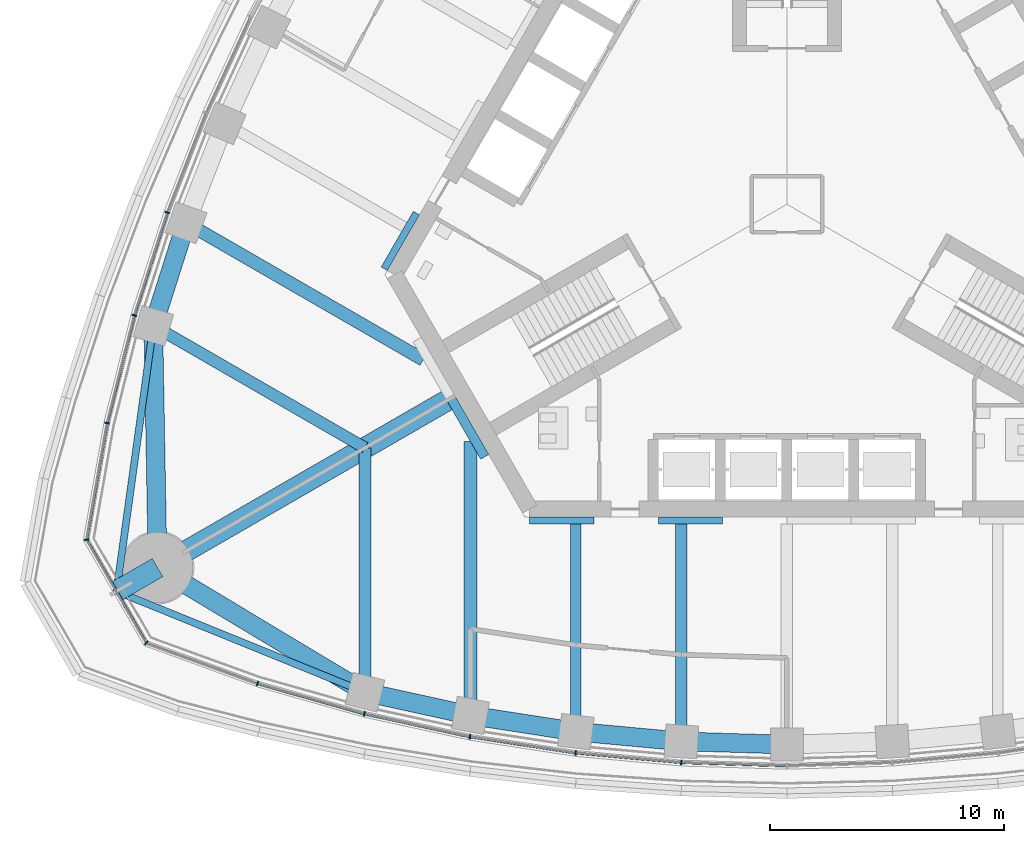
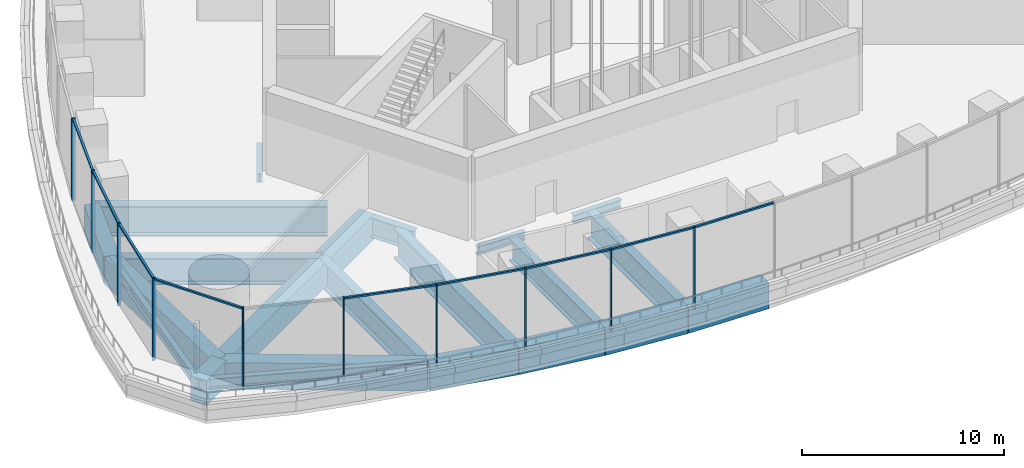
# One storey, part 2 of 26: 21 beams, 19 members, 3 elements without a shape of their own.
"""IFC4 building model written with IfcOpenShell, lengths in metres."""

from ifc_helpers import new_model, si_unit, direction, frame, origin, origin_2d, place, context, subcontext, project, spatial, rectangle, i_section, extrude, material, material_profile, profile_set, type_object, element, aggregate, save


model = new_model("IFC4")

# Units and contexts
model_context = context("Model", 3, precision=1e-05, world=origin(), true_north=direction((0.0, 1.0)))
body_context = subcontext(model_context, "Body", "Model", "MODEL_VIEW")
ifc_project = project(units=[si_unit("LENGTHUNIT", "METRE"), si_unit("AREAUNIT", "SQUARE_METRE"), si_unit("VOLUMEUNIT", "CUBIC_METRE"), si_unit("PLANEANGLEUNIT", "RADIAN"), si_unit("MASSUNIT", "GRAM", prefix="KILO")], contexts=[model_context])

# Site, building, storey
site_placement = place(None, origin())
site = spatial("IfcSite", under=ifc_project, at=site_placement, CompositionType="ELEMENT")
building_placement = place(site_placement, origin())
building = spatial("IfcBuilding", under=site, at=building_placement, Name="Trefoil Bronze Tower", CompositionType="ELEMENT")
storey_placement = place(building_placement, frame((0.0, 0.0, 271.300048828125)))
storey = spatial("IfcBuildingStorey", under=building, at=storey_placement, Name="L62", CompositionType="ELEMENT", Elevation=271.300048828125)

# Curtain wall, members
ifc_material_1 = material(Name="Tinted solar-control glass", Category="glass")
curtain_wall_type_1 = type_object("IfcCurtainWallType", Name="Bronze rounded corner curtain wall", PredefinedType="USERDEFINED", material=ifc_material_1)
curtain_wall_1_placement = place(storey_placement, origin())
curtain_wall_1 = element("IfcCurtainWall", 1, at=curtain_wall_1_placement, inside=storey, type_object=curtain_wall_type_1, Name="CW-B L62 K3", ObjectType="CURTAIN WALL", PredefinedType="USERDEFINED")
ifc_material_2 = material(Name="Bronze-finish aluminium", Category="aluminium")
ifc_material_profile_1 = material_profile(ifc_material_2, rectangle(XDim=0.199951171875, YDim=0.06005859375, at=origin_2d()), Name="CW-B mullion")
ifc_profile_set_1 = profile_set([ifc_material_profile_1], Name="Bronze-finish aluminium")
member_type_1 = type_object("IfcMemberType", Name="Bronze rounded corner curtain wall mullion", PredefinedType="MULLION", material=ifc_profile_set_1)
member_1_placement = place(storey_placement, frame((-28.99755859375, -9.334228515625, 0.0), z_axis=(0.0, 0.0, 1.0), x_axis=(0.984807753012, -0.173648177667, 0.0)))
member_1 = element("IfcMember", 2, at=member_1_placement, type_object=member_type_1, Name="CW-B L62 K3 mullion 1", PredefinedType="MULLION", context=body_context, shape_type="SweptSolid", body=[
    extrude(rectangle(XDim=0.199951171875, YDim=0.06005859375, at=origin_2d()), origin(), (0.0, 0.0, 1.0), 4.97998046875),
])
member_2_placement = place(storey_placement, frame((-29.86865234375, -14.30908203125, 0.0), z_axis=(0.0, 0.0, 1.0), x_axis=(0.984807753012, 0.173648177667, 0.0)))
member_2 = element("IfcMember", 3, at=member_2_placement, type_object=member_type_1, Name="CW-B L62 K3 mullion 2", PredefinedType="MULLION", context=body_context, shape_type="SweptSolid", body=[
    extrude(rectangle(XDim=0.199951171875, YDim=0.06005859375, at=origin_2d()), origin(), (0.0, 0.0, 1.0), 4.97998046875),
])
member_3_placement = place(storey_placement, frame((-27.326416015625, -18.712646484375, 0.0), z_axis=(0.0, 0.0, 1.0), x_axis=(0.642787609687, 0.766044443119, 0.0)))
member_3 = element("IfcMember", 4, at=member_3_placement, type_object=member_type_1, Name="CW-B L62 K3 mullion 3", PredefinedType="MULLION", context=body_context, shape_type="SweptSolid", body=[
    extrude(rectangle(XDim=0.199951171875, YDim=0.06005859375, at=origin_2d()), origin(), (0.0, 0.0, 1.0), 4.97998046875),
])
member_4_placement = place(storey_placement, frame((-22.58251953125, -20.445556640625, 0.0), z_axis=(0.0, 0.0, 1.0), x_axis=(0.342020143326, 0.939692620786, 0.0)))
member_4 = element("IfcMember", 5, at=member_4_placement, type_object=member_type_1, Name="CW-B L62 K3 mullion 4", PredefinedType="MULLION", context=body_context, shape_type="SweptSolid", body=[
    extrude(rectangle(XDim=0.199951171875, YDim=0.06005859375, at=origin_2d()), origin(), (0.0, 0.0, 1.0), 4.97998046875),
])
ifc_material_3 = material(Name="Bronze-finish aluminium", Category="aluminium")
ifc_material_profile_2 = material_profile(ifc_material_3, rectangle(XDim=0.1201171875, YDim=0.10009765625, at=origin_2d()), Name="CW-B transom")
ifc_profile_set_2 = profile_set([ifc_material_profile_2], Name="Bronze-finish aluminium")
member_type_2 = type_object("IfcMemberType", Name="Bronze rounded corner curtain wall transom", PredefinedType="USERDEFINED", material=ifc_profile_set_2)
member_5_placement = place(storey_placement, frame((-29.0029296875, -9.36376953125, 4.929931640625), z_axis=(-0.173633591509, -0.984810324834, 0.0), x_axis=(0.984810324834, -0.173633591509, 0.0)))
member_5 = element("IfcMember", 6, at=member_5_placement, type_object=member_type_2, Name="CW-B L62 K3 transom 1", ObjectType="TRANSOM", PredefinedType="USERDEFINED", context=body_context, shape_type="SweptSolid", body=[
    extrude(rectangle(XDim=0.1201171875, YDim=0.10009765625, at=origin_2d()), origin(), (0.0, 0.0, 1.0), 4.956298828125),
])
member_6_placement = place(storey_placement, frame((-29.841796875, -14.36767578125, 4.929931640625), z_axis=(0.499985403706, -0.866033830794, 0.0), x_axis=(0.866033830794, 0.499985403706, 0.0)))
member_6 = element("IfcMember", 7, at=member_6_placement, type_object=member_type_2, Name="CW-B L62 K3 transom 2", ObjectType="TRANSOM", PredefinedType="USERDEFINED", context=body_context, shape_type="SweptSolid", body=[
    extrude(rectangle(XDim=0.1201171875, YDim=0.10009765625, at=origin_2d()), origin(), (0.0, 0.0, 1.0), 4.956298828125),
])
aggregate(curtain_wall_1, [member_1, member_2, member_3, member_4, member_5, member_6])

ifc_material_4 = material(Name="Tinted solar-control glass", Category="glass")
curtain_wall_type_2 = type_object("IfcCurtainWallType", Name="Bronze sky lobby curtain wall", PredefinedType="USERDEFINED", material=ifc_material_4)
curtain_wall_2_placement = place(storey_placement, origin())
curtain_wall_2 = element("IfcCurtainWall", 8, at=curtain_wall_2_placement, inside=storey, type_object=curtain_wall_type_2, Name="CW-D L62 F1", ObjectType="CURTAIN WALL", PredefinedType="USERDEFINED")
ifc_material_5 = material(Name="Bronze-finish aluminium", Category="aluminium")
ifc_material_profile_3 = material_profile(ifc_material_5, rectangle(XDim=0.199951171875, YDim=0.06005859375, at=origin_2d()), Name="CW-D mullion")
ifc_profile_set_3 = profile_set([ifc_material_profile_3], Name="Bronze-finish aluminium")
member_type_3 = type_object("IfcMemberType", Name="Bronze sky lobby curtain wall mullion", PredefinedType="MULLION", material=ifc_profile_set_3)
member_7_placement = place(storey_placement, frame((-18.024169921875, -21.73779296875, 0.0), z_axis=(0.0, 0.0, 1.0), x_axis=(0.242394494031, 0.97017777199, 0.0)))
member_7 = element("IfcMember", 9, at=member_7_placement, type_object=member_type_3, Name="CW-D L62 F1 mullion 2", PredefinedType="MULLION", context=body_context, shape_type="SweptSolid", body=[
    extrude(rectangle(XDim=0.199951171875, YDim=0.06005859375, at=origin_2d()), origin(), (0.0, 0.0, 1.0), 4.97998046875),
])
member_8_placement = place(storey_placement, frame((-13.51806640625, -22.714599609375, 0.0), z_axis=(0.0, 0.0, 1.0), x_axis=(0.181667218242, 0.983360067227, 0.0)))
member_8 = element("IfcMember", 10, at=member_8_placement, type_object=member_type_3, Name="CW-D L62 F1 mullion 3", PredefinedType="MULLION", context=body_context, shape_type="SweptSolid", body=[
    extrude(rectangle(XDim=0.199951171875, YDim=0.06005859375, at=origin_2d()), origin(), (0.0, 0.0, 1.0), 4.97998046875),
])
member_9_placement = place(storey_placement, frame((-9.01220703125, -23.404296875, 0.0), z_axis=(0.0, 0.0, 1.0), x_axis=(0.121109330868, 0.992639174109, 0.0)))
member_9 = element("IfcMember", 11, at=member_9_placement, type_object=member_type_3, Name="CW-D L62 F1 mullion 4", PredefinedType="MULLION", context=body_context, shape_type="SweptSolid", body=[
    extrude(rectangle(XDim=0.199951171875, YDim=0.06005859375, at=origin_2d()), origin(), (0.0, 0.0, 1.0), 4.97998046875),
])
member_10_placement = place(storey_placement, frame((-4.506103515625, -23.815185546875, 0.0), z_axis=(0.0, 0.0, 1.0), x_axis=(0.060554040199, 0.998164920349, 0.0)))
member_10 = element("IfcMember", 12, at=member_10_placement, type_object=member_type_3, Name="CW-D L62 F1 mullion 5", PredefinedType="MULLION", context=body_context, shape_type="SweptSolid", body=[
    extrude(rectangle(XDim=0.199951171875, YDim=0.06005859375, at=origin_2d()), origin(), (0.0, 0.0, 1.0), 4.97998046875),
])

curtain_wall_3_placement = place(storey_placement, origin())
curtain_wall_3 = element("IfcCurtainWall", 13, at=curtain_wall_3_placement, inside=storey, type_object=curtain_wall_type_2, Name="CW-D L62 F3 run 3", ObjectType="CURTAIN WALL", PredefinedType="USERDEFINED")
member_11_placement = place(storey_placement, frame((-26.430419921875, -0.349853515625, 0.0), z_axis=(0.0, 0.0, 1.0), x_axis=(0.942448408407, -0.334351607581, 0.0)))
member_11 = element("IfcMember", 14, at=member_11_placement, type_object=member_type_3, Name="CW-D L62 F3 run 3 mullion 3", PredefinedType="MULLION", context=body_context, shape_type="SweptSolid", body=[
    extrude(rectangle(XDim=0.199951171875, YDim=0.06005859375, at=origin_2d()), origin(), (0.0, 0.0, 1.0), 4.97998046875),
])
member_12_placement = place(storey_placement, frame((-27.837646484375, -4.740478515625, 0.0), z_axis=(0.0, 0.0, 1.0), x_axis=(0.961395843746, -0.275169096426, 0.0)))
member_12 = element("IfcMember", 15, at=member_12_placement, type_object=member_type_3, Name="CW-D L62 F3 run 3 mullion 4", PredefinedType="MULLION", context=body_context, shape_type="SweptSolid", body=[
    extrude(rectangle(XDim=0.199951171875, YDim=0.06005859375, at=origin_2d()), origin(), (0.0, 0.0, 1.0), 4.97998046875),
])

# Member
ifc_material_6 = material(Name="Bronze-finish aluminium", Category="aluminium")
ifc_material_profile_4 = material_profile(ifc_material_6, rectangle(XDim=0.1201171875, YDim=0.10009765625, at=origin_2d()), Name="CW-D transom")
ifc_profile_set_4 = profile_set([ifc_material_profile_4], Name="Bronze-finish aluminium")
member_type_4 = type_object("IfcMemberType", Name="Bronze sky lobby curtain wall transom", PredefinedType="USERDEFINED", material=ifc_profile_set_4)
member_13_placement = place(storey_placement, frame((-22.546630859375, -20.4560546875, 4.929931640625), z_axis=(0.962104086165, -0.27268246622, 0.0), x_axis=(0.27268246622, 0.962104086165, 0.0)))
member_13 = element("IfcMember", 16, at=member_13_placement, type_object=member_type_4, Name="CW-D L62 F1 transom 1", ObjectType="TRANSOM", PredefinedType="USERDEFINED", context=body_context, shape_type="SweptSolid", body=[
    extrude(rectangle(XDim=0.1201171875, YDim=0.10009765625, at=origin_2d()), origin(), (0.0, 0.0, 1.0), 4.667236328125),
])

member_14_placement = place(storey_placement, frame((-17.991943359375, -21.744873046875, 4.929931640625), z_axis=(0.977307572451, -0.211825184596, 0.0), x_axis=(0.211825184596, 0.977307572451, 0.0)))
member_14 = element("IfcMember", 17, at=member_14_placement, type_object=member_type_4, Name="CW-D L62 F1 transom 2", ObjectType="TRANSOM", PredefinedType="USERDEFINED", context=body_context, shape_type="SweptSolid", body=[
    extrude(rectangle(XDim=0.1201171875, YDim=0.10009765625, at=origin_2d()), origin(), (0.0, 0.0, 1.0), 4.54443359375),
])

member_15_placement = place(storey_placement, frame((-13.485595703125, -22.7197265625, 4.929931640625), z_axis=(0.988489507985, -0.151289433218, 0.0), x_axis=(0.151289433218, 0.988489507985, 0.0)))
member_15 = element("IfcMember", 18, at=member_15_placement, type_object=member_type_4, Name="CW-D L62 F1 transom 3", ObjectType="TRANSOM", PredefinedType="USERDEFINED", context=body_context, shape_type="SweptSolid", body=[
    extrude(rectangle(XDim=0.1201171875, YDim=0.10009765625, at=origin_2d()), origin(), (0.0, 0.0, 1.0), 4.49267578125),
])

member_16_placement = place(storey_placement, frame((-8.979248046875, -23.407470703125, 4.929931640625), z_axis=(0.995870284307, -0.090787536778, 0.0), x_axis=(0.090787536778, 0.995870284307, 0.0)))
member_16 = element("IfcMember", 19, at=member_16_placement, type_object=member_type_4, Name="CW-D L62 F1 transom 4", ObjectType="TRANSOM", PredefinedType="USERDEFINED", context=body_context, shape_type="SweptSolid", body=[
    extrude(rectangle(XDim=0.1201171875, YDim=0.10009765625, at=origin_2d()), origin(), (0.0, 0.0, 1.0), 4.45849609375),
])

member_17_placement = place(storey_placement, frame((-4.47314453125, -23.816162109375, 4.929931640625), z_axis=(0.999541380808, -0.030282471041, 0.0), x_axis=(0.030282471041, 0.999541380808, 0.0)))
member_17 = element("IfcMember", 20, at=member_17_placement, type_object=member_type_4, Name="CW-D L62 F1 transom 5", ObjectType="TRANSOM", PredefinedType="USERDEFINED", context=body_context, shape_type="SweptSolid", body=[
    extrude(rectangle(XDim=0.1201171875, YDim=0.10009765625, at=origin_2d()), origin(), (0.0, 0.0, 1.0), 4.442138671875),
])

aggregate(curtain_wall_2, [member_7, member_8, member_9, member_10, member_13, member_14, member_15, member_16, member_17])

member_18_placement = place(storey_placement, frame((-26.440673828125, -0.38134765625, 4.929931640625), z_axis=(-0.305198695133, -0.952288693879, 0.0), x_axis=(0.952288693879, -0.305198695133, 0.0)))
member_18 = element("IfcMember", 21, at=member_18_placement, type_object=member_type_4, Name="CW-D L62 F3 run 3 transom 3", ObjectType="TRANSOM", PredefinedType="USERDEFINED", context=body_context, shape_type="SweptSolid", body=[
    extrude(rectangle(XDim=0.1201171875, YDim=0.10009765625, at=origin_2d()), origin(), (0.0, 0.0, 1.0), 4.54443359375),
])

member_19_placement = place(storey_placement, frame((-27.845703125, -4.772705078125, 4.929931640625), z_axis=(-0.244897917875, -0.969548869228, 0.0), x_axis=(0.969548869228, -0.244897917875, 0.0)))
member_19 = element("IfcMember", 22, at=member_19_placement, type_object=member_type_4, Name="CW-D L62 F3 run 3 transom 4", ObjectType="TRANSOM", PredefinedType="USERDEFINED", context=body_context, shape_type="SweptSolid", body=[
    extrude(rectangle(XDim=0.1201171875, YDim=0.10009765625, at=origin_2d()), origin(), (0.0, 0.0, 1.0), 4.66748046875),
])

aggregate(curtain_wall_3, [member_11, member_12, member_18, member_19])

# Beams
ifc_material_7 = material(Name="Steel C355", Category="steel")
ifc_material_profile_5 = material_profile(ifc_material_7, i_section(OverallWidth=0.300048828125, OverallDepth=0.5, WebThickness=0.014404296875, FlangeThickness=0.028076171875, FilletRadius=0.027099609375, at=origin_2d()), Name="HEB 500")
ifc_profile_set_5 = profile_set([ifc_material_profile_5], Name="Steel C355")
beam_type_1 = type_object("IfcBeamType", Name="Core seat beam HEB 500", PredefinedType="BEAM", material=ifc_profile_set_5)
for number, where, z_axis, x_axis, name in (
    (23, (-10.9697265625, -13.5, -0.449951171875), (1.0, 0.0, 0.0), (0.0, 1.0, 0.0), "Core seat beam F1/-2 L62"),
    (24, (-5.48486328125, -13.5, -0.449951171875), (1.0, 0.0, 0.0), (0.0, 1.0, 0.0), "Core seat beam F1/-1 L62"),
    (25, (-15.804931640625, -0.375, -0.449951171875), (-0.500035825175, -0.866004719122, 0.0), (0.866004719122, -0.500035825175, 0.0), "Core seat beam F3/+2 L62"),
):
    element("IfcBeam", number, at=place(storey_placement, frame(where, z_axis=z_axis, x_axis=x_axis)), inside=storey, type_object=beam_type_1, Name=name, PredefinedType="BEAM", context=body_context, shape_type="SweptSolid", body=[
        extrude(i_section(OverallWidth=0.300048828125, OverallDepth=0.5, WebThickness=0.014404296875, FlangeThickness=0.028076171875, FilletRadius=0.027099609375, at=origin_2d()), origin(), (0.0, 0.0, 1.0), 2.742431640625),
    ])
ifc_material_8 = material(Name="Steel C355", Category="steel")
ifc_material_profile_6 = material_profile(ifc_material_8, i_section(OverallWidth=0.39990234375, OverallDepth=1.199951171875, WebThickness=0.02001953125, FlangeThickness=0.0400390625, FilletRadius=0.010009765625, at=origin_2d()), Name="WPG 1200")
ifc_profile_set_6 = profile_set([ifc_material_profile_6], Name="Steel C355")
beam_type_2 = type_object("IfcBeamType", Name="Core seat beam WPG 1200", PredefinedType="BEAM", material=ifc_profile_set_6)
beam_1_placement = place(storey_placement, frame((-14.332763671875, -8.27490234375, -0.800048828125), z_axis=(0.499995765644, -0.866027848477, 0.0), x_axis=(0.866027848477, 0.499995765644, 0.0)))
element("IfcBeam", 26, at=beam_1_placement, inside=storey, type_object=beam_type_2, Name="Core seat beam F1/-3 L62", PredefinedType="BEAM", context=body_context, shape_type="SweptSolid", body=[
    extrude(i_section(OverallWidth=0.39990234375, OverallDepth=1.199951171875, WebThickness=0.02001953125, FlangeThickness=0.0400390625, FilletRadius=0.010009765625, at=origin_2d()), origin(), (0.0, 0.0, 1.0), 2.88671875),
])
ifc_material_9 = material(Name="Concrete B80", Category="concrete")
ifc_material_profile_7 = material_profile(ifc_material_9, rectangle(XDim=0.89990234375, YDim=1.5, at=origin_2d()), Name="RC 900x1500")
ifc_profile_set_7 = profile_set([ifc_material_profile_7], Name="Concrete B80")
beam_type_3 = type_object("IfcBeamType", Name="Corner cantilever RC 900x1500", PredefinedType="BEAM", material=ifc_profile_set_7)
beam_2_placement = place(storey_placement, frame((-26.8466796875, -15.5, -0.949951171875), z_axis=(-0.866010470582, -0.500025864173, 0.0), x_axis=(0.500025864173, -0.866010470582, 0.0)))
element("IfcBeam", 27, at=beam_2_placement, inside=storey, type_object=beam_type_3, Name="Corner cantilever K3 L62", PredefinedType="BEAM", context=body_context, shape_type="SweptSolid", body=[
    extrude(rectangle(XDim=0.89990234375, YDim=1.5, at=origin_2d()), origin(), (0.0, 0.0, 1.0), 2.02001953125),
])
ifc_material_10 = material(Name="Steel C355", Category="steel")
ifc_material_profile_8 = material_profile(ifc_material_10, i_section(OverallWidth=0.300048828125, OverallDepth=0.60009765625, WebThickness=0.015380859375, FlangeThickness=0.030029296875, FilletRadius=0.027099609375, at=origin_2d()), Name="HEB 600")
ifc_profile_set_8 = profile_set([ifc_material_profile_8], Name="Steel C355")
beam_type_4 = type_object("IfcBeamType", Name="Corner edge beam HEB 600", PredefinedType="BEAM", material=ifc_profile_set_8)
beam_3_placement = place(storey_placement, frame((-18.0, -20.816162109375, -0.5), z_axis=(-0.926419351914, 0.376493272714, 0.0), x_axis=(-0.376493272714, -0.926419351914, 0.0)))
element("IfcBeam", 28, at=beam_3_placement, inside=storey, type_object=beam_type_4, Name="Corner edge beam F1B L62", PredefinedType="BEAM", context=body_context, shape_type="SweptSolid", body=[
    extrude(i_section(OverallWidth=0.300048828125, OverallDepth=0.60009765625, WebThickness=0.015380859375, FlangeThickness=0.030029296875, FilletRadius=0.027099609375, at=origin_2d()), origin(), (0.0, 0.0, 1.0), 11.4375),
])
beam_4_placement = place(storey_placement, frame((-27.02734375, -5.180419921875, -0.5), z_axis=(-0.137143714313, -0.990551160529, 0.0), x_axis=(0.990551160529, -0.137143714313, 0.0)))
element("IfcBeam", 29, at=beam_4_placement, inside=storey, type_object=beam_type_4, Name="Corner edge beam F3A L62", PredefinedType="BEAM", context=body_context, shape_type="SweptSolid", body=[
    extrude(i_section(OverallWidth=0.300048828125, OverallDepth=0.60009765625, WebThickness=0.015380859375, FlangeThickness=0.030029296875, FilletRadius=0.027099609375, at=origin_2d()), origin(), (0.0, 0.0, 1.0), 11.437744140625),
])
ifc_material_11 = material(Name="Concrete B80", Category="concrete")
ifc_material_profile_9 = material_profile(ifc_material_11, rectangle(XDim=0.89990234375, YDim=1.5, at=origin_2d()), Name="RC 900x1500")
ifc_profile_set_9 = profile_set([ifc_material_profile_9], Name="Concrete B80")
beam_type_5 = type_object("IfcBeamType", Name="Corner girder RC 900x1500", PredefinedType="BEAM", material=ifc_profile_set_9)
beam_5_placement = place(storey_placement, frame((-14.159423828125, -8.175048828125, -0.949951171875), z_axis=(-0.866026568746, -0.499997982221, 0.0), x_axis=(0.499997982221, -0.866026568746, 0.0)))
element("IfcBeam", 30, at=beam_5_placement, inside=storey, type_object=beam_type_5, Name="Corner girder K3 L62", PredefinedType="BEAM", context=body_context, shape_type="SweptSolid", body=[
    extrude(rectangle(XDim=0.89990234375, YDim=1.5, at=origin_2d()), origin(), (0.0, 0.0, 1.0), 14.64990234375),
])
ifc_material_12 = material(Name="Concrete B80", Category="concrete")
ifc_material_profile_10 = material_profile(ifc_material_12, rectangle(XDim=0.800048828125, YDim=1.60009765625, at=origin_2d()), Name="RC 800x1600")
ifc_profile_set_10 = profile_set([ifc_material_profile_10], Name="Concrete B80")
beam_type_6 = type_object("IfcBeamType", Name="End spandrel beam RC 800x1600", PredefinedType="SPANDREL", material=ifc_profile_set_10)
for number, where, z_axis, x_axis, name in (
    (31, (-26.8466796875, -15.5, -1.0), (0.857144173035, -0.515076563855, 0.0), (0.515076563855, 0.857144173035, 0.0), "Spandrel F1.1 L62"),
    (32, (-27.02734375, -5.180419921875, -1.0), (0.017504237714, -0.999846789094, 0.0), (0.999846789094, 0.017504237714, 0.0), "Spandrel F3.10 L62"),
):
    element("IfcBeam", number, at=place(storey_placement, frame(where, z_axis=z_axis, x_axis=x_axis)), inside=storey, type_object=beam_type_6, Name=name, PredefinedType="SPANDREL", context=body_context, shape_type="SweptSolid", body=[
        extrude(rectangle(XDim=0.800048828125, YDim=1.60009765625, at=origin_2d()), origin(), (0.0, 0.0, 1.0), 10.321044921875),
    ])
ifc_material_13 = material(Name="Steel C355", Category="steel")
ifc_material_profile_11 = material_profile(ifc_material_13, i_section(OverallWidth=0.449951171875, OverallDepth=1.39990234375, WebThickness=0.02294921875, FlangeThickness=0.044921875, FilletRadius=0.011962890625, at=origin_2d()), Name="WPG 1400")
ifc_profile_set_11 = profile_set([ifc_material_profile_11], Name="Steel C355")
beam_type_7 = type_object("IfcBeamType", Name="Floor beam WPG 1400", PredefinedType="BEAM", material=ifc_profile_set_11)
beam_6_placement = place(storey_placement, frame((-9.0, -22.499267578125, -0.900146484375), z_axis=(0.0, 1.0, 0.0), x_axis=(-1.0, 0.0, 0.0)))
element("IfcBeam", 33, at=beam_6_placement, inside=storey, type_object=beam_type_7, Name="Floor beam F1/-2 L62", PredefinedType="BEAM", context=body_context, shape_type="SweptSolid", body=[
    extrude(i_section(OverallWidth=0.449951171875, OverallDepth=1.39990234375, WebThickness=0.02294921875, FlangeThickness=0.044921875, FilletRadius=0.011962890625, at=origin_2d()), origin(), (0.0, 0.0, 1.0), 8.849365234375),
])
ifc_material_14 = material(Name="Steel C355", Category="steel")
ifc_material_profile_12 = material_profile(ifc_material_14, i_section(OverallWidth=0.5, OverallDepth=1.60009765625, WebThickness=0.02587890625, FlangeThickness=0.050048828125, FilletRadius=0.011962890625, at=origin_2d()), Name="WPG 1600")
ifc_profile_set_12 = profile_set([ifc_material_profile_12], Name="Steel C355")
beam_type_8 = type_object("IfcBeamType", Name="Floor beam WPG 1600", PredefinedType="BEAM", material=ifc_profile_set_12)
beam_7_placement = place(storey_placement, frame((-18.0, -20.816162109375, -1.0), z_axis=(0.0, 1.0, 0.0), x_axis=(-1.0, 0.0, 0.0)))
element("IfcBeam", 34, at=beam_7_placement, inside=storey, type_object=beam_type_8, Name="Floor beam F1/-4 L62", PredefinedType="BEAM", context=body_context, shape_type="SweptSolid", body=[
    extrude(i_section(OverallWidth=0.5, OverallDepth=1.60009765625, WebThickness=0.02587890625, FlangeThickness=0.050048828125, FilletRadius=0.011962890625, at=origin_2d()), origin(), (0.0, 0.0, 1.0), 10.423828125),
])
beam_8_placement = place(storey_placement, frame((-4.5, -22.913818359375, -1.0), z_axis=(0.0, 1.0, 0.0), x_axis=(-1.0, 0.0, 0.0)))
element("IfcBeam", 35, at=beam_8_placement, inside=storey, type_object=beam_type_8, Name="Floor beam F1/-1 L62", PredefinedType="BEAM", context=body_context, shape_type="SweptSolid", body=[
    extrude(i_section(OverallWidth=0.5, OverallDepth=1.60009765625, WebThickness=0.02587890625, FlangeThickness=0.050048828125, FilletRadius=0.011962890625, at=origin_2d()), origin(), (0.0, 0.0, 1.0), 9.263916015625),
])
beam_9_placement = place(storey_placement, frame((-27.02734375, -5.180419921875, -1.0), z_axis=(0.866026453994, -0.499998180979, 0.0), x_axis=(0.499998180979, 0.866026453994, 0.0)))
element("IfcBeam", 36, at=beam_9_placement, inside=storey, type_object=beam_type_8, Name="Floor beam F3/+4 L62", PredefinedType="BEAM", context=body_context, shape_type="SweptSolid", body=[
    extrude(i_section(OverallWidth=0.5, OverallDepth=1.60009765625, WebThickness=0.02587890625, FlangeThickness=0.050048828125, FilletRadius=0.011962890625, at=origin_2d()), origin(), (0.0, 0.0, 1.0), 10.423828125),
])
ifc_material_15 = material(Name="Steel C355", Category="steel")
ifc_material_profile_13 = material_profile(ifc_material_15, i_section(OverallWidth=0.550048828125, OverallDepth=1.800048828125, WebThickness=0.029052734375, FlangeThickness=0.054931640625, FilletRadius=0.013916015625, at=origin_2d()), Name="WPG 1800")
ifc_profile_set_13 = profile_set([ifc_material_profile_13], Name="Steel C355")
beam_type_9 = type_object("IfcBeamType", Name="Floor beam WPG 1800", PredefinedType="BEAM", material=ifc_profile_set_13)
beam_10_placement = place(storey_placement, frame((-13.5, -21.802734375, -1.10009765625), z_axis=(0.0, 1.0, 0.0), x_axis=(-1.0, 0.0, 0.0)))
element("IfcBeam", 37, at=beam_10_placement, inside=storey, type_object=beam_type_9, Name="Floor beam F1/-3 L62", PredefinedType="BEAM", context=body_context, shape_type="SweptSolid", body=[
    extrude(i_section(OverallWidth=0.550048828125, OverallDepth=1.800048828125, WebThickness=0.029052734375, FlangeThickness=0.054931640625, FilletRadius=0.013916015625, at=origin_2d()), origin(), (0.0, 0.0, 1.0), 11.685302734375),
])
beam_11_placement = place(storey_placement, frame((-25.631591796875, -0.7900390625, -1.10009765625), z_axis=(0.866026929639, -0.499997357134, 0.0), x_axis=(0.499997357134, 0.866026929639, 0.0)))
element("IfcBeam", 38, at=beam_11_placement, inside=storey, type_object=beam_type_9, Name="Floor beam F3/+3 L62", PredefinedType="BEAM", context=body_context, shape_type="SweptSolid", body=[
    extrude(i_section(OverallWidth=0.550048828125, OverallDepth=1.800048828125, WebThickness=0.029052734375, FlangeThickness=0.054931640625, FilletRadius=0.013916015625, at=origin_2d()), origin(), (0.0, 0.0, 1.0), 11.68505859375),
])
ifc_material_16 = material(Name="Concrete B80", Category="concrete")
ifc_material_profile_14 = material_profile(ifc_material_16, rectangle(XDim=0.800048828125, YDim=1.60009765625, at=origin_2d()), Name="RC 800x1600")
ifc_profile_set_14 = profile_set([ifc_material_profile_14], Name="Concrete B80")
beam_type_10 = type_object("IfcBeamType", Name="Spandrel beam RC 800x1600", PredefinedType="SPANDREL", material=ifc_profile_set_14)
beam_12_placement = place(storey_placement, frame((-18.0, -20.816162109375, -1.0), z_axis=(0.976800342355, -0.214152028182, 0.0), x_axis=(0.214152028182, 0.976800342355, 0.0)))
element("IfcBeam", 39, at=beam_12_placement, inside=storey, type_object=beam_type_10, Name="Spandrel F1.2 L62", PredefinedType="SPANDREL", context=body_context, shape_type="SweptSolid", body=[
    extrude(rectangle(XDim=0.800048828125, YDim=1.60009765625, at=origin_2d()), origin(), (0.0, 0.0, 1.0), 4.60693359375),
])
beam_13_placement = place(storey_placement, frame((-13.5, -21.802734375, -1.0), z_axis=(0.988231820946, -0.152963616816, 0.0), x_axis=(0.152963616816, 0.988231820946, 0.0)))
element("IfcBeam", 40, at=beam_13_placement, inside=storey, type_object=beam_type_10, Name="Spandrel F1.3 L62", PredefinedType="SPANDREL", context=body_context, shape_type="SweptSolid", body=[
    extrude(rectangle(XDim=0.800048828125, YDim=1.60009765625, at=origin_2d()), origin(), (0.0, 0.0, 1.0), 4.553466796875),
])
beam_14_placement = place(storey_placement, frame((-9.0, -22.499267578125, -1.0), z_axis=(0.995783550481, -0.091733966402, 0.0), x_axis=(0.091733966402, 0.995783550481, 0.0)))
element("IfcBeam", 41, at=beam_14_placement, inside=storey, type_object=beam_type_10, Name="Spandrel F1.4 L62", PredefinedType="SPANDREL", context=body_context, shape_type="SweptSolid", body=[
    extrude(rectangle(XDim=0.800048828125, YDim=1.60009765625, at=origin_2d()), origin(), (0.0, 0.0, 1.0), 4.51904296875),
])
beam_15_placement = place(storey_placement, frame((-4.5, -22.913818359375, -1.0), z_axis=(0.999532180362, -0.03058464354, 0.0), x_axis=(0.03058464354, 0.999532180362, 0.0)))
element("IfcBeam", 42, at=beam_15_placement, inside=storey, type_object=beam_type_10, Name="Spandrel F1.5 L62", PredefinedType="SPANDREL", context=body_context, shape_type="SweptSolid", body=[
    extrude(rectangle(XDim=0.800048828125, YDim=1.60009765625, at=origin_2d()), origin(), (0.0, 0.0, 1.0), 4.502197265625),
])
beam_16_placement = place(storey_placement, frame((-25.631591796875, -0.7900390625, -1.0), z_axis=(-0.302969597344, -0.953000221975, 0.0), x_axis=(0.953000221975, -0.302969597344, 0.0)))
element("IfcBeam", 43, at=beam_16_placement, inside=storey, type_object=beam_type_10, Name="Spandrel F3.9 L62", PredefinedType="SPANDREL", context=body_context, shape_type="SweptSolid", body=[
    extrude(rectangle(XDim=0.800048828125, YDim=1.60009765625, at=origin_2d()), origin(), (0.0, 0.0, 1.0), 4.60693359375),
])

save(model, "model.ifc")
